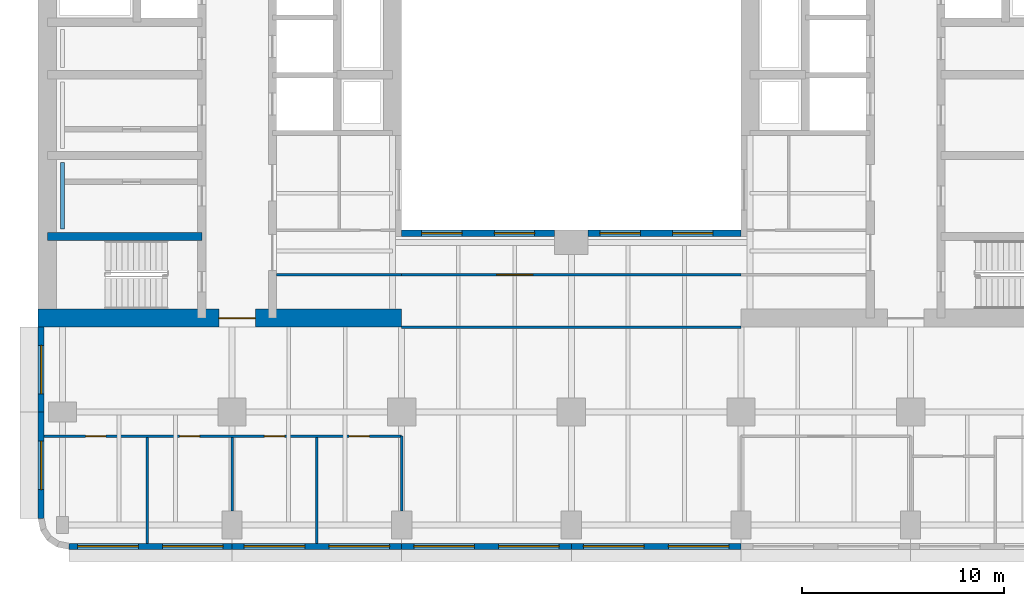
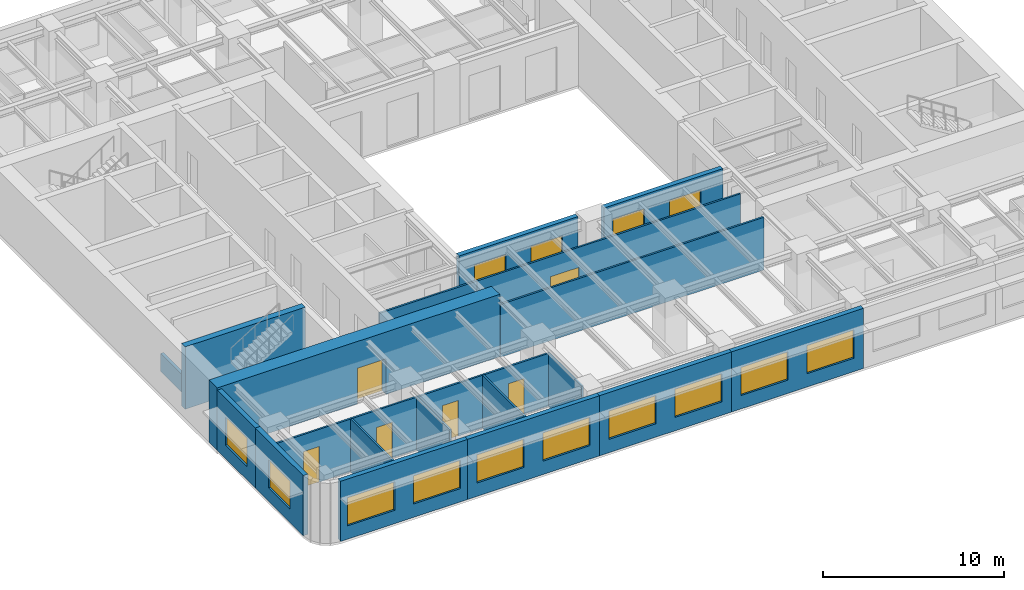
# One storey, part 3 of 11: 19 walls, 14 windows, 6 doors, 20 openings.
"""IFC4 building model written with IfcOpenShell, lengths in metres."""

import ifcopenshell
import ifcopenshell.guid

model = None  # the IFC model being written
_history = None  # IfcOwnerHistory: only IFC2X3 demands one
_inside = {}  # id of a spatial element -> (the spatial element, [elements in it])
_under = {}  # id of a project, library or spatial element -> (it, [spatial elements below it])
_declared = {}  # id of a project -> (the project, [libraries it declares])
_typed = {}  # id of a type object -> (the type object, [elements of that type])
_made_of = {}  # id of a material, layer set ... -> (it, [elements and type objects made of it])


def new_model(schema):
    """Start an empty IFC model of exactly this schema.

    Asked for "IFC4X3", IfcOpenShell would pick the latest addendum, in which some entities
    have other attributes; the version numbers below select the first issue.
    IFC2X3 requires an IfcOwnerHistory on every rooted entity: one is made here for all.
    """
    global model, _history
    if schema == "IFC4X3":
        model = ifcopenshell.file(schema_version=(4, 3, 0, 0))
    else:
        model = ifcopenshell.file(schema=schema)
    _inside.clear()
    _under.clear()
    _declared.clear()
    _typed.clear()
    _made_of.clear()
    _history = None
    if model.schema == "IFC2X3":
        org = make("IfcOrganization", Name="unknown")
        user = make(
            "IfcPersonAndOrganization",
            ThePerson=make("IfcPerson", FamilyName="unknown"),
            TheOrganization=org,
        )
        app = make(
            "IfcApplication",
            ApplicationDeveloper=org,
            Version="unknown",
            ApplicationFullName="unknown",
            ApplicationIdentifier="unknown",
        )
        _history = make(
            "IfcOwnerHistory",
            OwningUser=user,
            OwningApplication=app,
            ChangeAction="ADDED",
            CreationDate=0,
        )
    return model


def make(cls, **values):
    """One entity of the class cls with the attributes given. An attribute that is None is left unset."""
    return model.create_entity(
        cls, **{name: value for name, value in values.items() if value is not None}
    )


def rooted(cls, **values):
    """An entity with a GlobalId (a new one), such as an element, a storey or a relation."""
    return make(cls, GlobalId=ifcopenshell.guid.new(), OwnerHistory=_history, **values)


def si_unit(unit_type, name, prefix=None):
    """IfcSIUnit, for example si_unit("LENGTHUNIT", "METRE", prefix="MILLI")."""
    return make("IfcSIUnit", UnitType=unit_type, Prefix=prefix, Name=name)


def assignment(units):
    """IfcUnitAssignment: the units of a project."""
    return None if units is None else make("IfcUnitAssignment", Units=units)


def point(xyz):
    """IfcCartesianPoint."""
    return None if xyz is None else make("IfcCartesianPoint", Coordinates=xyz)


def direction(xyz):
    """IfcDirection."""
    return None if xyz is None else make("IfcDirection", DirectionRatios=xyz)


def frame(location, z_axis=None, x_axis=None):
    """IfcAxis2Placement3D, a coordinate frame: its origin and axes. An axis left out is left unset."""
    return make(
        "IfcAxis2Placement3D",
        Location=point(location),
        Axis=direction(z_axis),
        RefDirection=direction(x_axis),
    )


def frame_2d(location, x_axis=None):
    """IfcAxis2Placement2D, a coordinate frame in the plane: its origin and x axis."""
    return make(
        "IfcAxis2Placement2D", Location=point(location), RefDirection=direction(x_axis)
    )


def origin():
    """The frame at (0, 0, 0) with its axes left unset."""
    return frame((0.0, 0.0, 0.0))


def place(relative_to, where):
    """IfcLocalPlacement: puts the frame where relative to a parent placement (None: the world)."""
    return make(
        "IfcLocalPlacement", PlacementRelTo=relative_to, RelativePlacement=where
    )


def context(
    kind, dimensions, precision=None, world=None, true_north=None, identifier=None
):
    """IfcGeometricRepresentationContext, for example the 3D "Model" context."""
    return make(
        "IfcGeometricRepresentationContext",
        ContextIdentifier=identifier,
        ContextType=kind,
        CoordinateSpaceDimension=dimensions,
        Precision=precision,
        WorldCoordinateSystem=world,
        TrueNorth=true_north,
    )


def subcontext(parent, identifier, kind, view, scale=None):
    """IfcGeometricRepresentationSubContext, for example "Body" below "Model"."""
    return make(
        "IfcGeometricRepresentationSubContext",
        ContextIdentifier=identifier,
        ContextType=kind,
        ParentContext=parent,
        TargetScale=scale,
        TargetView=view,
    )


def project(units=None, contexts=None):
    """IfcProject with its units and contexts."""
    return rooted(
        "IfcProject",
        Name="project",
        RepresentationContexts=contexts,
        UnitsInContext=assignment(units),
    )


def spatial(cls, under=None, at=None, **own):
    """A site, building, storey or space (cls), placed at a placement, below another one or the project."""
    s = rooted(cls, ObjectPlacement=at, **own)
    if under is not None:
        _under.setdefault(under.id(), (under, []))[1].append(s)
    return s


def profile(cls, at=None, kind="AREA", **sizes):
    """A parametric profile (cls). Its sizes go by their IFC names, for example OverallWidth=200.0."""
    return make(cls, ProfileType=kind, Position=at, **sizes)


def rectangle(**sizes):
    """IfcRectangleProfileDef."""
    return profile("IfcRectangleProfileDef", **sizes)


def extrude(swept, where, along, depth):
    """IfcExtrudedAreaSolid: the profile swept, set in the frame where, extruded along a direction by depth."""
    return make(
        "IfcExtrudedAreaSolid",
        SweptArea=swept,
        Position=where,
        ExtrudedDirection=direction(along),
        Depth=depth,
    )


def shape(context_of_items, identifier, shape_type, items):
    """IfcShapeRepresentation: the items that make up one representation, for example the "Body"."""
    return make(
        "IfcShapeRepresentation",
        ContextOfItems=context_of_items,
        RepresentationIdentifier=identifier,
        RepresentationType=shape_type,
        Items=items,
    )


def material(Name=None, Category=None):
    """IfcMaterial."""
    return make("IfcMaterial", Name=Name, Category=Category)


def layer(
    of_material, thickness, ventilated=None, Name=None, Category=None, Priority=None
):
    """IfcMaterialLayer: one layer of a wall or slab, of a material (None: an air gap)."""
    return make(
        "IfcMaterialLayer",
        Material=of_material,
        LayerThickness=thickness,
        IsVentilated=ventilated,
        Name=Name,
        Category=Category,
        Priority=Priority,
    )


def layer_set(layers, Name=None):
    """IfcMaterialLayerSet."""
    return make("IfcMaterialLayerSet", MaterialLayers=layers, LayerSetName=Name)


def made_of(thing, what):
    """Note that an element or type object is made of a material, layer set ...; save() writes the relation."""
    if what is not None:
        _made_of.setdefault(what.id(), (what, []))[1].append(thing)
    return thing


def type_object(cls, material=None, **own):
    """A type object (cls), such as IfcWallType, which elements share."""
    return made_of(rooted(cls, **own), material)


def element(
    cls,
    number,
    at=None,
    inside=None,
    cuts=None,
    type_object=None,
    material=None,
    context=None,
    identifier="Body",
    shape_type=None,
    held_by="IfcProductDefinitionShape",
    body=None,
    shapes=None,
    **own,
):
    """One element of the class cls, such as IfcWall. Its Tag is "e" and its number.

    at: its placement. inside: the storey or other place that contains it. cuts: it is an
    opening in that element (IfcRelVoidsElement). A single representation is given by context,
    identifier, shape_type and body (its items); several are given by shapes. held_by: the class
    of the entity that holds the representations. save() writes the other relations.
    """
    e = rooted(cls, Tag="e%d" % number, ObjectPlacement=at, **own)
    if body is not None:
        shapes = [shape(context, identifier, shape_type, body)]
    if shapes is not None:
        e.Representation = make(held_by, Representations=shapes)
    if inside is not None:
        _inside.setdefault(inside.id(), (inside, []))[1].append(e)
    if cuts is not None:
        rooted(
            "IfcRelVoidsElement", RelatingBuildingElement=cuts, RelatedOpeningElement=e
        )
    if type_object is not None:
        _typed.setdefault(type_object.id(), (type_object, []))[1].append(e)
    return made_of(e, material)


def fill(opening, filler):
    """IfcRelFillsElement: the door or window that sits in an opening."""
    return rooted(
        "IfcRelFillsElement",
        RelatingOpeningElement=opening,
        RelatedBuildingElement=filler,
    )


def aggregate(whole, parts):
    """IfcRelAggregates: a whole, such as a stair, and the parts it consists of."""
    return rooted("IfcRelAggregates", RelatingObject=whole, RelatedObjects=parts)


def save(model, path):
    """Write the relations noted so far, then the file.

    IfcRelAggregates (storeys below a building ...), IfcRelContainedInSpatialStructure (elements
    in a storey), IfcRelDefinesByType, IfcRelAssociatesMaterial and IfcRelDeclares: one each for
    every whole, place, type object, material and project.
    """
    for whole, parts in _under.values():
        aggregate(whole, parts)
    for where, things in _inside.values():
        rooted(
            "IfcRelContainedInSpatialStructure",
            RelatedElements=things,
            RelatingStructure=where,
        )
    for kind, things in _typed.values():
        rooted("IfcRelDefinesByType", RelatedObjects=things, RelatingType=kind)
    for what, things in _made_of.values():
        rooted("IfcRelAssociatesMaterial", RelatedObjects=things, RelatingMaterial=what)
    for by, libraries in _declared.values():
        rooted("IfcRelDeclares", RelatingContext=by, RelatedDefinitions=libraries)
    model.write(path)


model = new_model("IFC4")

# Units and contexts
model_context = context("Model", 3, precision=1e-05, world=origin(), true_north=direction((0.0, 1.0)))
body_context = subcontext(model_context, "Body", "Model", "MODEL_VIEW")
ifc_project = project(units=[si_unit("LENGTHUNIT", "METRE"), si_unit("AREAUNIT", "SQUARE_METRE"), si_unit("VOLUMEUNIT", "CUBIC_METRE"), si_unit("PLANEANGLEUNIT", "RADIAN"), si_unit("MASSUNIT", "GRAM", prefix="KILO")], contexts=[model_context])

# Site, building, storey
site_placement = place(None, origin())
site = spatial("IfcSite", under=ifc_project, at=site_placement, CompositionType="ELEMENT")
building_placement = place(site_placement, origin())
building = spatial("IfcBuilding", under=site, at=building_placement, Name="Claustro Exchange Tower", CompositionType="ELEMENT")
storey_placement = place(building_placement, frame((0.0, 0.0, 105.0)))
storey = spatial("IfcBuildingStorey", under=building, at=storey_placement, Name="L23", CompositionType="ELEMENT", Elevation=105.0)

# Wall, openings, doors
ifc_material_1 = material(Name="Laminated glass in aluminium frame", Category="aluminium")
ifc_layer_1 = layer(ifc_material_1, 0.1201171875)
ifc_layer_set_1 = layer_set([ifc_layer_1], Name="Laminated glass in aluminium frame")
wall_type_1 = type_object("IfcWallType", Name="P2 120 glazed partition", PredefinedType="PARTITIONING", material=ifc_layer_set_1)
wall_1_placement = place(storey_placement, frame((-0.902099609375, 7.199951171875, 0.0), z_axis=(0.0, 0.0, 1.0), x_axis=(1.0, 0.0, 0.0)))
wall_1 = element("IfcWall", 1, at=wall_1_placement, inside=storey, type_object=wall_type_1, Name="Partition P2 L23", PredefinedType="PARTITIONING", context=body_context, shape_type="SweptSolid", body=[
    extrude(rectangle(XDim=17.7021484375, YDim=0.1201171875, at=frame_2d((8.85107421875, 0.0))), origin(), (0.0, 0.0, 1.0), 3.550048828125),
])
opening_1_placement = place(wall_1_placement, frame((2.052001953125, 0.0, 0.0)))
opening_1 = element("IfcOpeningElement", 2, at=opening_1_placement, cuts=wall_1, Name="Opening D7", PredefinedType="OPENING", context=body_context, shape_type="SweptSolid", body=[
    extrude(rectangle(XDim=1.0, YDim=2.39990234375, at=frame_2d((0.5, 1.199951171875))), frame((0.0, 0.070068359375, 0.0), z_axis=(0.0, -1.0, 0.0), x_axis=(1.0, 0.0, 0.0)), (0.0, 0.0, 1.0), 0.14013671875),
])
opening_2_placement = place(wall_1_placement, frame((6.701904296875, 0.0, 0.0)))
opening_2 = element("IfcOpeningElement", 3, at=opening_2_placement, cuts=wall_1, Name="Opening D7", PredefinedType="OPENING", context=body_context, shape_type="SweptSolid", body=[
    extrude(rectangle(XDim=1.0, YDim=2.39990234375, at=frame_2d((0.5, 1.199951171875))), frame((0.0, 0.070068359375, 0.0), z_axis=(0.0, -1.0, 0.0), x_axis=(1.0, 0.0, 0.0)), (0.0, 0.0, 1.0), 0.14013671875),
])
opening_3_placement = place(wall_1_placement, frame((10.902099609375, 0.0, 0.0)))
opening_3 = element("IfcOpeningElement", 4, at=opening_3_placement, cuts=wall_1, Name="Opening D7", PredefinedType="OPENING", context=body_context, shape_type="SweptSolid", body=[
    extrude(rectangle(XDim=1.0, YDim=2.39990234375, at=frame_2d((0.5, 1.199951171875))), frame((0.0, 0.070068359375, 0.0), z_axis=(0.0, -1.0, 0.0), x_axis=(1.0, 0.0, 0.0)), (0.0, 0.0, 1.0), 0.14013671875),
])
opening_4_placement = place(wall_1_placement, frame((15.10205078125, 0.0, 0.0)))
opening_4 = element("IfcOpeningElement", 5, at=opening_4_placement, cuts=wall_1, Name="Opening D7", PredefinedType="OPENING", context=body_context, shape_type="SweptSolid", body=[
    extrude(rectangle(XDim=1.0, YDim=2.39990234375, at=frame_2d((0.5, 1.199951171875))), frame((0.0, 0.070068359375, 0.0), z_axis=(0.0, -1.0, 0.0), x_axis=(1.0, 0.0, 0.0)), (0.0, 0.0, 1.0), 0.14013671875),
])
ifc_material_2 = material(Name="Glass door in aluminium frame", Category="aluminium")
door_type_1 = type_object("IfcDoorType", Name="D7 1000 x 2400 glazed door", OperationType="SINGLE_SWING_LEFT", PredefinedType="DOOR", material=ifc_material_2)
door_1_placement = place(opening_1_placement, frame((1.0, 0.0, 0.0), z_axis=(0.0, 0.0, 1.0), x_axis=(-1.0, 0.0, 0.0)))
door_1 = element("IfcDoor", 6, at=door_1_placement, inside=storey, type_object=door_type_1, Name="Door D7 L23", OperationType="SINGLE_SWING_LEFT", OverallHeight=2.39990234375, OverallWidth=1.0, PredefinedType="DOOR", context=body_context, shape_type="SweptSolid", body=[
    extrude(rectangle(XDim=1.0, YDim=2.39990234375, at=frame_2d((0.5, 1.199951171875))), frame((0.0, 0.02490234375, 0.0), z_axis=(0.0, -1.0, 0.0), x_axis=(1.0, 0.0, 0.0)), (0.0, 0.0, 1.0), 0.050048828125),
])
fill(opening_1, door_1)
door_2_placement = place(opening_2_placement, frame((1.0, 0.0, 0.0), z_axis=(0.0, 0.0, 1.0), x_axis=(-1.0, 0.0, 0.0)))
door_2 = element("IfcDoor", 7, at=door_2_placement, inside=storey, type_object=door_type_1, Name="Door D7 L23", OperationType="SINGLE_SWING_RIGHT", OverallHeight=2.39990234375, OverallWidth=1.0, PredefinedType="DOOR", context=body_context, shape_type="SweptSolid", body=[
    extrude(rectangle(XDim=1.0, YDim=2.39990234375, at=frame_2d((0.5, 1.199951171875))), frame((0.0, 0.02490234375, 0.0), z_axis=(0.0, -1.0, 0.0), x_axis=(1.0, 0.0, 0.0)), (0.0, 0.0, 1.0), 0.050048828125),
])
fill(opening_2, door_2)
door_3_placement = place(opening_3_placement, frame((1.0, 0.0, 0.0), z_axis=(0.0, 0.0, 1.0), x_axis=(-1.0, 0.0, 0.0)))
door_3 = element("IfcDoor", 8, at=door_3_placement, inside=storey, type_object=door_type_1, Name="Door D7 L23", OperationType="SINGLE_SWING_RIGHT", OverallHeight=2.39990234375, OverallWidth=1.0, PredefinedType="DOOR", context=body_context, shape_type="SweptSolid", body=[
    extrude(rectangle(XDim=1.0, YDim=2.39990234375, at=frame_2d((0.5, 1.199951171875))), frame((0.0, 0.02490234375, 0.0), z_axis=(0.0, -1.0, 0.0), x_axis=(1.0, 0.0, 0.0)), (0.0, 0.0, 1.0), 0.050048828125),
])
fill(opening_3, door_3)
door_4_placement = place(opening_4_placement, frame((1.0, 0.0, 0.0), z_axis=(0.0, 0.0, 1.0), x_axis=(-1.0, 0.0, 0.0)))
door_4 = element("IfcDoor", 9, at=door_4_placement, inside=storey, type_object=door_type_1, Name="Door D7 L23", OperationType="SINGLE_SWING_RIGHT", OverallHeight=2.39990234375, OverallWidth=1.0, PredefinedType="DOOR", context=body_context, shape_type="SweptSolid", body=[
    extrude(rectangle(XDim=1.0, YDim=2.39990234375, at=frame_2d((0.5, 1.199951171875))), frame((0.0, 0.02490234375, 0.0), z_axis=(0.0, -1.0, 0.0), x_axis=(1.0, 0.0, 0.0)), (0.0, 0.0, 1.0), 0.050048828125),
])
fill(opening_4, door_4)

# Walls
wall_2_placement = place(storey_placement, frame((4.199951171875, 1.89794921875, 0.0), z_axis=(0.0, 0.0, 1.0), x_axis=(0.0, 1.0, 0.0)))
element("IfcWall", 10, at=wall_2_placement, inside=storey, type_object=wall_type_1, Name="Partition P2 L23", PredefinedType="PARTITIONING", context=body_context, shape_type="SweptSolid", body=[
    extrude(rectangle(XDim=5.244140625, YDim=0.1201171875, at=frame_2d((2.6220703125, 0.0))), origin(), (0.0, 0.0, 1.0), 3.56005859375),
])
wall_3_placement = place(storey_placement, frame((8.39990234375, 3.4990234375, 0.0), z_axis=(0.0, 0.0, 1.0), x_axis=(0.0, 1.0, 0.0)))
element("IfcWall", 11, at=wall_3_placement, inside=storey, type_object=wall_type_1, Name="Partition P2 L23", PredefinedType="PARTITIONING", context=body_context, shape_type="SweptSolid", body=[
    extrude(rectangle(XDim=3.64306640625, YDim=0.1201171875, at=frame_2d((1.821533203125, 0.0))), origin(), (0.0, 0.0, 1.0), 3.550048828125),
])
wall_4_placement = place(storey_placement, frame((12.60009765625, 1.89794921875, 0.0), z_axis=(0.0, 0.0, 1.0), x_axis=(0.0, 1.0, 0.0)))
element("IfcWall", 12, at=wall_4_placement, inside=storey, type_object=wall_type_1, Name="Partition P2 L23", PredefinedType="PARTITIONING", context=body_context, shape_type="SweptSolid", body=[
    extrude(rectangle(XDim=5.244140625, YDim=0.1201171875, at=frame_2d((2.6220703125, 0.0))), origin(), (0.0, 0.0, 1.0), 3.56005859375),
])
wall_5_placement = place(storey_placement, frame((16.800048828125, 3.4990234375, 0.0), z_axis=(0.0, 0.0, 1.0), x_axis=(0.0, 1.0, 0.0)))
element("IfcWall", 13, at=wall_5_placement, inside=storey, type_object=wall_type_1, Name="Partition P2 L23", PredefinedType="PARTITIONING", context=body_context, shape_type="SweptSolid", body=[
    extrude(rectangle(XDim=3.700927734375, YDim=0.1201171875, at=frame_2d((1.8505859375, 0.0))), origin(), (0.0, 0.0, 1.0), 3.550048828125),
])
wall_6_placement = place(storey_placement, frame((10.597900390625, 15.199951171875, 0.0), z_axis=(0.0, 0.0, 1.0), x_axis=(1.0, 0.0, 0.0)))
element("IfcWall", 14, at=wall_6_placement, inside=storey, type_object=wall_type_1, Name="Partition P2 L23", PredefinedType="PARTITIONING", context=body_context, shape_type="SweptSolid", body=[
    extrude(rectangle(XDim=6.2041015625, YDim=0.1201171875, at=frame_2d((3.10205078125, 0.0))), origin(), (0.0, 0.0, 1.0), 3.550048828125),
])

# Wall, opening, door
wall_7_placement = place(storey_placement, frame((16.798095703125, 15.199951171875, 0.0), z_axis=(0.0, 0.0, 1.0), x_axis=(1.0, 0.0, 0.0)))
wall_7 = element("IfcWall", 15, at=wall_7_placement, inside=storey, type_object=wall_type_1, Name="Partition P2 L23", PredefinedType="PARTITIONING", context=body_context, shape_type="SweptSolid", body=[
    extrude(rectangle(XDim=16.803955078125, YDim=0.1201171875, at=frame_2d((8.40185546875, 0.0))), origin(), (0.0, 0.0, 1.0), 3.550048828125),
])
opening_5_placement = place(wall_7_placement, frame((4.701904296875, 0.0, 0.0)))
opening_5 = element("IfcOpeningElement", 16, at=opening_5_placement, cuts=wall_7, Name="Opening D2", PredefinedType="OPENING", context=body_context, shape_type="SweptSolid", body=[
    extrude(rectangle(XDim=1.800048828125, YDim=2.199951171875, at=frame_2d((0.89990234375, 1.10009765625))), frame((0.0, 0.070068359375, 0.0), z_axis=(0.0, -1.0, 0.0), x_axis=(1.0, 0.0, 0.0)), (0.0, 0.0, 1.0), 0.14013671875),
])
ifc_material_3 = material(Name="Timber door, oak veneer", Category="wood")
door_type_2 = type_object("IfcDoorType", Name="D2 1800 x 2200 double door", OperationType="DOUBLE_DOOR_SINGLE_SWING", PredefinedType="DOOR", material=ifc_material_3)
door_5_placement = place(opening_5_placement, frame((1.800048828125, 0.0, 0.0), z_axis=(0.0, 0.0, 1.0), x_axis=(-1.0, 0.0, 0.0)))
door_5 = element("IfcDoor", 17, at=door_5_placement, inside=storey, type_object=door_type_2, Name="Double door D2 L23", OperationType="DOUBLE_DOOR_SINGLE_SWING", OverallHeight=2.199951171875, OverallWidth=1.800048828125, PredefinedType="DOOR", context=body_context, shape_type="SweptSolid", body=[
    extrude(rectangle(XDim=1.800048828125, YDim=2.199951171875, at=frame_2d((0.89990234375, 1.10009765625))), frame((0.0, 0.02490234375, 0.0), z_axis=(0.0, -1.0, 0.0), x_axis=(1.0, 0.0, 0.0)), (0.0, 0.0, 1.0), 0.050048828125),
])
fill(opening_5, door_5)

# Wall
wall_8_placement = place(storey_placement, frame((16.800048828125, 12.60009765625, 0.0), z_axis=(0.0, 0.0, 1.0), x_axis=(1.0, 0.0, 0.0)))
element("IfcWall", 18, at=wall_8_placement, inside=storey, type_object=wall_type_1, Name="Partition P2 L23", PredefinedType="PARTITIONING", context=body_context, shape_type="SweptSolid", body=[
    extrude(rectangle(XDim=16.800048828125, YDim=0.1201171875, at=frame_2d((8.39990234375, 0.0))), origin(), (0.0, 0.0, 1.0), 3.550048828125),
])

# Wall, openings, windows
ifc_material_4 = material(Name="Concrete HA-40 (C40/50), precast, white cement, acid-etched", Category="concrete")
ifc_layer_2 = layer(ifc_material_4, 0.300048828125)
ifc_layer_set_2 = layer_set([ifc_layer_2], Name="Concrete HA-40 (C40/50), precast, white cement, acid-etched")
wall_type_2 = type_object("IfcWallType", Name="PC1 300 precast concrete pier panel", PredefinedType="SOLIDWALL", material=ifc_layer_set_2)
wall_9_placement = place(storey_placement, frame((33.60009765625, 1.75, 0.0), z_axis=(0.0, 0.0, 1.0), x_axis=(-1.0, 0.0, 0.0)))
wall_9 = element("IfcWall", 19, at=wall_9_placement, inside=storey, type_object=wall_type_2, Name="Precast pier panel PC1 L23", PredefinedType="SOLIDWALL", context=body_context, shape_type="SweptSolid", body=[
    extrude(rectangle(XDim=8.400146484375, YDim=0.300048828125, at=frame_2d((4.2001953125, 0.0))), origin(), (0.0, 0.0, 1.0), 4.050048828125),
])
opening_6_placement = place(wall_9_placement, frame((0.60009765625, 0.0, 0.89990234375)))
opening_6 = element("IfcOpeningElement", 20, at=opening_6_placement, cuts=wall_9, Name="Opening W1", PredefinedType="OPENING", context=body_context, shape_type="SweptSolid", body=[
    extrude(rectangle(XDim=3.0, YDim=1.89990234375, at=frame_2d((1.5, 0.949951171875))), frame((0.0, 0.159912109375, 0.0), z_axis=(0.0, -1.0, 0.0), x_axis=(1.0, 0.0, 0.0)), (0.0, 0.0, 1.0), 0.320068359375),
])
opening_7_placement = place(wall_9_placement, frame((4.800048828125, 0.0, 0.89990234375)))
opening_7 = element("IfcOpeningElement", 21, at=opening_7_placement, cuts=wall_9, Name="Opening W1", PredefinedType="OPENING", context=body_context, shape_type="SweptSolid", body=[
    extrude(rectangle(XDim=3.0, YDim=1.89990234375, at=frame_2d((1.5, 0.949951171875))), frame((0.0, 0.159912109375, 0.0), z_axis=(0.0, -1.0, 0.0), x_axis=(1.0, 0.0, 0.0)), (0.0, 0.0, 1.0), 0.320068359375),
])
ifc_material_5 = material(Name="Aluminium frame, clear double glazing", Category="aluminium")
window_type_1 = type_object("IfcWindowType", Name="W1 3000 x 1900 window", PartitioningType="SINGLE_PANEL", PredefinedType="WINDOW", material=ifc_material_5)
window_1_placement = place(opening_6_placement, origin())
window_1 = element("IfcWindow", 22, at=window_1_placement, inside=storey, type_object=window_type_1, Name="Window W1 L23", OverallHeight=1.89990234375, OverallWidth=3.0, PartitioningType="SINGLE_PANEL", PredefinedType="WINDOW", context=body_context, shape_type="SweptSolid", body=[
    extrude(rectangle(XDim=3.0, YDim=1.89990234375, at=frame_2d((1.5, 0.949951171875))), frame((0.0, 0.030029296875, 0.0), z_axis=(0.0, -1.0, 0.0), x_axis=(1.0, 0.0, 0.0)), (0.0, 0.0, 1.0), 0.06005859375),
])
fill(opening_6, window_1)
window_2_placement = place(opening_7_placement, origin())
window_2 = element("IfcWindow", 23, at=window_2_placement, inside=storey, type_object=window_type_1, Name="Window W1 L23", OverallHeight=1.89990234375, OverallWidth=3.0, PartitioningType="SINGLE_PANEL", PredefinedType="WINDOW", context=body_context, shape_type="SweptSolid", body=[
    extrude(rectangle(XDim=3.0, YDim=1.89990234375, at=frame_2d((1.5, 0.949951171875))), frame((0.0, 0.030029296875, 0.0), z_axis=(0.0, -1.0, 0.0), x_axis=(1.0, 0.0, 0.0)), (0.0, 0.0, 1.0), 0.06005859375),
])
fill(opening_7, window_2)

wall_10_placement = place(storey_placement, frame((25.199951171875, 1.75, 0.0), z_axis=(0.0, 0.0, 1.0), x_axis=(-1.0, 0.0, 0.0)))
wall_10 = element("IfcWall", 24, at=wall_10_placement, inside=storey, type_object=wall_type_2, Name="Precast pier panel PC1 L23", PredefinedType="SOLIDWALL", context=body_context, shape_type="SweptSolid", body=[
    extrude(rectangle(XDim=8.39990234375, YDim=0.300048828125, at=frame_2d((4.199951171875, 0.0))), origin(), (0.0, 0.0, 1.0), 4.050048828125),
])
opening_8_placement = place(wall_10_placement, frame((0.60009765625, 0.0, 0.89990234375)))
opening_8 = element("IfcOpeningElement", 25, at=opening_8_placement, cuts=wall_10, Name="Opening W1", PredefinedType="OPENING", context=body_context, shape_type="SweptSolid", body=[
    extrude(rectangle(XDim=3.0, YDim=1.89990234375, at=frame_2d((1.5, 0.949951171875))), frame((0.0, 0.159912109375, 0.0), z_axis=(0.0, -1.0, 0.0), x_axis=(1.0, 0.0, 0.0)), (0.0, 0.0, 1.0), 0.320068359375),
])
opening_9_placement = place(wall_10_placement, frame((4.800048828125, 0.0, 0.89990234375)))
opening_9 = element("IfcOpeningElement", 26, at=opening_9_placement, cuts=wall_10, Name="Opening W1", PredefinedType="OPENING", context=body_context, shape_type="SweptSolid", body=[
    extrude(rectangle(XDim=3.0, YDim=1.89990234375, at=frame_2d((1.5, 0.949951171875))), frame((0.0, 0.159912109375, 0.0), z_axis=(0.0, -1.0, 0.0), x_axis=(1.0, 0.0, 0.0)), (0.0, 0.0, 1.0), 0.320068359375),
])
window_3_placement = place(opening_8_placement, origin())
window_3 = element("IfcWindow", 27, at=window_3_placement, inside=storey, type_object=window_type_1, Name="Window W1 L23", OverallHeight=1.89990234375, OverallWidth=3.0, PartitioningType="SINGLE_PANEL", PredefinedType="WINDOW", context=body_context, shape_type="SweptSolid", body=[
    extrude(rectangle(XDim=3.0, YDim=1.89990234375, at=frame_2d((1.5, 0.949951171875))), frame((0.0, 0.030029296875, 0.0), z_axis=(0.0, -1.0, 0.0), x_axis=(1.0, 0.0, 0.0)), (0.0, 0.0, 1.0), 0.06005859375),
])
fill(opening_8, window_3)
window_4_placement = place(opening_9_placement, origin())
window_4 = element("IfcWindow", 28, at=window_4_placement, inside=storey, type_object=window_type_1, Name="Window W1 L23", OverallHeight=1.89990234375, OverallWidth=3.0, PartitioningType="SINGLE_PANEL", PredefinedType="WINDOW", context=body_context, shape_type="SweptSolid", body=[
    extrude(rectangle(XDim=3.0, YDim=1.89990234375, at=frame_2d((1.5, 0.949951171875))), frame((0.0, 0.030029296875, 0.0), z_axis=(0.0, -1.0, 0.0), x_axis=(1.0, 0.0, 0.0)), (0.0, 0.0, 1.0), 0.06005859375),
])
fill(opening_9, window_4)

wall_11_placement = place(storey_placement, frame((16.800048828125, 1.75, 0.0), z_axis=(0.0, 0.0, 1.0), x_axis=(-1.0, 0.0, 0.0)))
wall_11 = element("IfcWall", 29, at=wall_11_placement, inside=storey, type_object=wall_type_2, Name="Precast pier panel PC1 L23", PredefinedType="SOLIDWALL", context=body_context, shape_type="SweptSolid", body=[
    extrude(rectangle(XDim=8.400146484375, YDim=0.300048828125, at=frame_2d((4.2001953125, 0.0))), origin(), (0.0, 0.0, 1.0), 4.050048828125),
])
opening_10_placement = place(wall_11_placement, frame((0.60009765625, 0.0, 0.89990234375)))
opening_10 = element("IfcOpeningElement", 30, at=opening_10_placement, cuts=wall_11, Name="Opening W1", PredefinedType="OPENING", context=body_context, shape_type="SweptSolid", body=[
    extrude(rectangle(XDim=3.0, YDim=1.89990234375, at=frame_2d((1.5, 0.949951171875))), frame((0.0, 0.159912109375, 0.0), z_axis=(0.0, -1.0, 0.0), x_axis=(1.0, 0.0, 0.0)), (0.0, 0.0, 1.0), 0.320068359375),
])
opening_11_placement = place(wall_11_placement, frame((4.800048828125, 0.0, 0.89990234375)))
opening_11 = element("IfcOpeningElement", 31, at=opening_11_placement, cuts=wall_11, Name="Opening W1", PredefinedType="OPENING", context=body_context, shape_type="SweptSolid", body=[
    extrude(rectangle(XDim=3.0, YDim=1.89990234375, at=frame_2d((1.5, 0.949951171875))), frame((0.0, 0.159912109375, 0.0), z_axis=(0.0, -1.0, 0.0), x_axis=(1.0, 0.0, 0.0)), (0.0, 0.0, 1.0), 0.320068359375),
])
window_5_placement = place(opening_10_placement, origin())
window_5 = element("IfcWindow", 32, at=window_5_placement, inside=storey, type_object=window_type_1, Name="Window W1 L23", OverallHeight=1.89990234375, OverallWidth=3.0, PartitioningType="SINGLE_PANEL", PredefinedType="WINDOW", context=body_context, shape_type="SweptSolid", body=[
    extrude(rectangle(XDim=3.0, YDim=1.89990234375, at=frame_2d((1.5, 0.949951171875))), frame((0.0, 0.030029296875, 0.0), z_axis=(0.0, -1.0, 0.0), x_axis=(1.0, 0.0, 0.0)), (0.0, 0.0, 1.0), 0.06005859375),
])
fill(opening_10, window_5)
window_6_placement = place(opening_11_placement, origin())
window_6 = element("IfcWindow", 33, at=window_6_placement, inside=storey, type_object=window_type_1, Name="Window W1 L23", OverallHeight=1.89990234375, OverallWidth=3.0, PartitioningType="SINGLE_PANEL", PredefinedType="WINDOW", context=body_context, shape_type="SweptSolid", body=[
    extrude(rectangle(XDim=3.0, YDim=1.89990234375, at=frame_2d((1.5, 0.949951171875))), frame((0.0, 0.030029296875, 0.0), z_axis=(0.0, -1.0, 0.0), x_axis=(1.0, 0.0, 0.0)), (0.0, 0.0, 1.0), 0.06005859375),
])
fill(opening_11, window_6)

wall_12_placement = place(storey_placement, frame((8.39990234375, 1.75, 0.0), z_axis=(0.0, 0.0, 1.0), x_axis=(-1.0, 0.0, 0.0)))
wall_12 = element("IfcWall", 34, at=wall_12_placement, inside=storey, type_object=wall_type_2, Name="Precast pier panel PC1 L23", PredefinedType="SOLIDWALL", context=body_context, shape_type="SweptSolid", body=[
    extrude(rectangle(XDim=8.085205078125, YDim=0.300048828125, at=frame_2d((4.04248046875, 0.0))), origin(), (0.0, 0.0, 1.0), 4.050048828125),
])
opening_12_placement = place(wall_12_placement, frame((0.442626953125, 0.0, 0.89990234375)))
opening_12 = element("IfcOpeningElement", 35, at=opening_12_placement, cuts=wall_12, Name="Opening W1", PredefinedType="OPENING", context=body_context, shape_type="SweptSolid", body=[
    extrude(rectangle(XDim=3.0, YDim=1.89990234375, at=frame_2d((1.5, 0.949951171875))), frame((0.0, 0.159912109375, 0.0), z_axis=(0.0, -1.0, 0.0), x_axis=(1.0, 0.0, 0.0)), (0.0, 0.0, 1.0), 0.320068359375),
])
opening_13_placement = place(wall_12_placement, frame((4.642578125, 0.0, 0.89990234375)))
opening_13 = element("IfcOpeningElement", 36, at=opening_13_placement, cuts=wall_12, Name="Opening W1", PredefinedType="OPENING", context=body_context, shape_type="SweptSolid", body=[
    extrude(rectangle(XDim=3.0, YDim=1.89990234375, at=frame_2d((1.5, 0.949951171875))), frame((0.0, 0.159912109375, 0.0), z_axis=(0.0, -1.0, 0.0), x_axis=(1.0, 0.0, 0.0)), (0.0, 0.0, 1.0), 0.320068359375),
])
window_7_placement = place(opening_12_placement, origin())
window_7 = element("IfcWindow", 37, at=window_7_placement, inside=storey, type_object=window_type_1, Name="Window W1 L23", OverallHeight=1.89990234375, OverallWidth=3.0, PartitioningType="SINGLE_PANEL", PredefinedType="WINDOW", context=body_context, shape_type="SweptSolid", body=[
    extrude(rectangle(XDim=3.0, YDim=1.89990234375, at=frame_2d((1.5, 0.949951171875))), frame((0.0, 0.030029296875, 0.0), z_axis=(0.0, -1.0, 0.0), x_axis=(1.0, 0.0, 0.0)), (0.0, 0.0, 1.0), 0.06005859375),
])
fill(opening_12, window_7)
window_8_placement = place(opening_13_placement, origin())
window_8 = element("IfcWindow", 38, at=window_8_placement, inside=storey, type_object=window_type_1, Name="Window W1 L23", OverallHeight=1.89990234375, OverallWidth=3.0, PartitioningType="SINGLE_PANEL", PredefinedType="WINDOW", context=body_context, shape_type="SweptSolid", body=[
    extrude(rectangle(XDim=3.0, YDim=1.89990234375, at=frame_2d((1.5, 0.949951171875))), frame((0.0, 0.030029296875, 0.0), z_axis=(0.0, -1.0, 0.0), x_axis=(1.0, 0.0, 0.0)), (0.0, 0.0, 1.0), 0.06005859375),
])
fill(opening_13, window_8)

# Wall, opening, window
wall_13_placement = place(storey_placement, frame((-1.050048828125, 3.11474609375, 0.0), z_axis=(0.0, 0.0, 1.0), x_axis=(0.0, 1.0, 0.0)))
wall_13 = element("IfcWall", 39, at=wall_13_placement, inside=storey, type_object=wall_type_2, Name="Precast pier panel PC1 L23", PredefinedType="SOLIDWALL", context=body_context, shape_type="SweptSolid", body=[
    extrude(rectangle(XDim=5.28515625, YDim=0.300048828125, at=frame_2d((2.642578125, 0.0))), origin(), (0.0, 0.0, 1.0), 4.050048828125),
])
opening_14_placement = place(wall_13_placement, frame((1.442626953125, 0.0, 0.89990234375)))
opening_14 = element("IfcOpeningElement", 40, at=opening_14_placement, cuts=wall_13, Name="Opening W2", PredefinedType="OPENING", context=body_context, shape_type="SweptSolid", body=[
    extrude(rectangle(XDim=2.39990234375, YDim=1.89990234375, at=frame_2d((1.199951171875, 0.949951171875))), frame((0.0, 0.159912109375, 0.0), z_axis=(0.0, -1.0, 0.0), x_axis=(1.0, 0.0, 0.0)), (0.0, 0.0, 1.0), 0.320068359375),
])
ifc_material_6 = material(Name="Aluminium frame, clear double glazing", Category="aluminium")
window_type_2 = type_object("IfcWindowType", Name="W2 2400 x 1900 window", PartitioningType="SINGLE_PANEL", PredefinedType="WINDOW", material=ifc_material_6)
window_9_placement = place(opening_14_placement, origin())
window_9 = element("IfcWindow", 41, at=window_9_placement, inside=storey, type_object=window_type_2, Name="Window W2 L23", OverallHeight=1.89990234375, OverallWidth=2.39990234375, PartitioningType="SINGLE_PANEL", PredefinedType="WINDOW", context=body_context, shape_type="SweptSolid", body=[
    extrude(rectangle(XDim=2.39990234375, YDim=1.89990234375, at=frame_2d((1.199951171875, 0.949951171875))), frame((0.0, 0.030029296875, 0.0), z_axis=(0.0, -1.0, 0.0), x_axis=(1.0, 0.0, 0.0)), (0.0, 0.0, 1.0), 0.06005859375),
])
fill(opening_14, window_9)

wall_14_placement = place(storey_placement, frame((-1.050048828125, 8.39990234375, 0.0), z_axis=(0.0, 0.0, 1.0), x_axis=(0.0, 1.0, 0.0)))
wall_14 = element("IfcWall", 42, at=wall_14_placement, inside=storey, type_object=wall_type_2, Name="Precast pier panel PC1 L23", PredefinedType="SOLIDWALL", context=body_context, shape_type="SweptSolid", body=[
    extrude(rectangle(XDim=4.2001953125, YDim=0.300048828125, at=frame_2d((2.10009765625, 0.0))), origin(), (0.0, 0.0, 1.0), 4.050048828125),
])
opening_15_placement = place(wall_14_placement, frame((0.89990234375, 0.0, 0.89990234375)))
opening_15 = element("IfcOpeningElement", 43, at=opening_15_placement, cuts=wall_14, Name="Opening W2", PredefinedType="OPENING", context=body_context, shape_type="SweptSolid", body=[
    extrude(rectangle(XDim=2.39990234375, YDim=1.89990234375, at=frame_2d((1.199951171875, 0.949951171875))), frame((0.0, 0.159912109375, 0.0), z_axis=(0.0, -1.0, 0.0), x_axis=(1.0, 0.0, 0.0)), (0.0, 0.0, 1.0), 0.320068359375),
])
window_10_placement = place(opening_15_placement, origin())
window_10 = element("IfcWindow", 44, at=window_10_placement, inside=storey, type_object=window_type_2, Name="Window W2 L23", OverallHeight=1.89990234375, OverallWidth=2.39990234375, PartitioningType="SINGLE_PANEL", PredefinedType="WINDOW", context=body_context, shape_type="SweptSolid", body=[
    extrude(rectangle(XDim=2.39990234375, YDim=1.89990234375, at=frame_2d((1.199951171875, 0.949951171875))), frame((0.0, 0.030029296875, 0.0), z_axis=(0.0, -1.0, 0.0), x_axis=(1.0, 0.0, 0.0)), (0.0, 0.0, 1.0), 0.06005859375),
])
fill(opening_15, window_10)

# Wall, openings, windows
wall_15_placement = place(storey_placement, frame((16.800048828125, 17.25, 0.0), z_axis=(0.0, 0.0, 1.0), x_axis=(1.0, 0.0, 0.0)))
wall_15 = element("IfcWall", 45, at=wall_15_placement, inside=storey, type_object=wall_type_2, Name="Precast pier panel PC1 L23", PredefinedType="SOLIDWALL", context=body_context, shape_type="SweptSolid", body=[
    extrude(rectangle(XDim=7.574951171875, YDim=0.300048828125, at=frame_2d((3.78759765625, 0.0))), origin(), (0.0, 0.0, 1.0), 4.050048828125),
])
opening_16_placement = place(wall_15_placement, frame((0.987548828125, 0.0, 0.10009765625)))
opening_16 = element("IfcOpeningElement", 46, at=opening_16_placement, cuts=wall_15, Name="Opening W-A", PredefinedType="OPENING", context=body_context, shape_type="SweptSolid", body=[
    extrude(rectangle(XDim=2.0, YDim=3.0, at=frame_2d((1.0, 1.5))), frame((0.0, 0.159912109375, 0.0), z_axis=(0.0, -1.0, 0.0), x_axis=(1.0, 0.0, 0.0)), (0.0, 0.0, 1.0), 0.320068359375),
])
opening_17_placement = place(wall_15_placement, frame((4.58740234375, 0.0, 0.10009765625)))
opening_17 = element("IfcOpeningElement", 47, at=opening_17_placement, cuts=wall_15, Name="Opening W-A", PredefinedType="OPENING", context=body_context, shape_type="SweptSolid", body=[
    extrude(rectangle(XDim=2.0, YDim=3.0, at=frame_2d((1.0, 1.5))), frame((0.0, 0.159912109375, 0.0), z_axis=(0.0, -1.0, 0.0), x_axis=(1.0, 0.0, 0.0)), (0.0, 0.0, 1.0), 0.320068359375),
])
ifc_material_7 = material(Name="Aluminium frame, clear double glazing", Category="aluminium")
window_type_3 = type_object("IfcWindowType", Name="W-A 2000 x 3000 arcade window", PartitioningType="SINGLE_PANEL", PredefinedType="WINDOW", material=ifc_material_7)
window_11_placement = place(opening_16_placement, origin())
window_11 = element("IfcWindow", 48, at=window_11_placement, inside=storey, type_object=window_type_3, Name="Window W-A L23", OverallHeight=3.0, OverallWidth=2.0, PartitioningType="SINGLE_PANEL", PredefinedType="WINDOW", context=body_context, shape_type="SweptSolid", body=[
    extrude(rectangle(XDim=2.0, YDim=3.0, at=frame_2d((1.0, 1.5))), frame((0.0, 0.030029296875, 0.0), z_axis=(0.0, -1.0, 0.0), x_axis=(1.0, 0.0, 0.0)), (0.0, 0.0, 1.0), 0.06005859375),
])
fill(opening_16, window_11)
window_12_placement = place(opening_17_placement, origin())
window_12 = element("IfcWindow", 49, at=window_12_placement, inside=storey, type_object=window_type_3, Name="Window W-A L23", OverallHeight=3.0, OverallWidth=2.0, PartitioningType="SINGLE_PANEL", PredefinedType="WINDOW", context=body_context, shape_type="SweptSolid", body=[
    extrude(rectangle(XDim=2.0, YDim=3.0, at=frame_2d((1.0, 1.5))), frame((0.0, 0.030029296875, 0.0), z_axis=(0.0, -1.0, 0.0), x_axis=(1.0, 0.0, 0.0)), (0.0, 0.0, 1.0), 0.06005859375),
])
fill(opening_17, window_12)

wall_16_placement = place(storey_placement, frame((26.02490234375, 17.25, 0.0), z_axis=(0.0, 0.0, 1.0), x_axis=(1.0, 0.0, 0.0)))
wall_16 = element("IfcWall", 50, at=wall_16_placement, inside=storey, type_object=wall_type_2, Name="Precast pier panel PC1 L23", PredefinedType="SOLIDWALL", context=body_context, shape_type="SweptSolid", body=[
    extrude(rectangle(XDim=7.5751953125, YDim=0.300048828125, at=frame_2d((3.78759765625, 0.0))), origin(), (0.0, 0.0, 1.0), 4.050048828125),
])
opening_18_placement = place(wall_16_placement, frame((0.58740234375, 0.0, 0.10009765625)))
opening_18 = element("IfcOpeningElement", 51, at=opening_18_placement, cuts=wall_16, Name="Opening W-A", PredefinedType="OPENING", context=body_context, shape_type="SweptSolid", body=[
    extrude(rectangle(XDim=2.0, YDim=3.0, at=frame_2d((1.0, 1.5))), frame((0.0, 0.159912109375, 0.0), z_axis=(0.0, -1.0, 0.0), x_axis=(1.0, 0.0, 0.0)), (0.0, 0.0, 1.0), 0.320068359375),
])
opening_19_placement = place(wall_16_placement, frame((4.1875, 0.0, 0.10009765625)))
opening_19 = element("IfcOpeningElement", 52, at=opening_19_placement, cuts=wall_16, Name="Opening W-A", PredefinedType="OPENING", context=body_context, shape_type="SweptSolid", body=[
    extrude(rectangle(XDim=2.0, YDim=3.0, at=frame_2d((1.0, 1.5))), frame((0.0, 0.159912109375, 0.0), z_axis=(0.0, -1.0, 0.0), x_axis=(1.0, 0.0, 0.0)), (0.0, 0.0, 1.0), 0.320068359375),
])
window_13_placement = place(opening_18_placement, origin())
window_13 = element("IfcWindow", 53, at=window_13_placement, inside=storey, type_object=window_type_3, Name="Window W-A L23", OverallHeight=3.0, OverallWidth=2.0, PartitioningType="SINGLE_PANEL", PredefinedType="WINDOW", context=body_context, shape_type="SweptSolid", body=[
    extrude(rectangle(XDim=2.0, YDim=3.0, at=frame_2d((1.0, 1.5))), frame((0.0, 0.030029296875, 0.0), z_axis=(0.0, -1.0, 0.0), x_axis=(1.0, 0.0, 0.0)), (0.0, 0.0, 1.0), 0.06005859375),
])
fill(opening_18, window_13)
window_14_placement = place(opening_19_placement, origin())
window_14 = element("IfcWindow", 54, at=window_14_placement, inside=storey, type_object=window_type_3, Name="Window W-A L23", OverallHeight=3.0, OverallWidth=2.0, PartitioningType="SINGLE_PANEL", PredefinedType="WINDOW", context=body_context, shape_type="SweptSolid", body=[
    extrude(rectangle(XDim=2.0, YDim=3.0, at=frame_2d((1.0, 1.5))), frame((0.0, 0.030029296875, 0.0), z_axis=(0.0, -1.0, 0.0), x_axis=(1.0, 0.0, 0.0)), (0.0, 0.0, 1.0), 0.06005859375),
])
fill(opening_19, window_14)

# Wall
ifc_material_8 = material(Name="Gypsum board on steel studs, tiled", Category="steel")
ifc_layer_3 = layer(ifc_material_8, 0.199951171875)
ifc_layer_set_3 = layer_set([ifc_layer_3], Name="Gypsum board on steel studs, tiled")
wall_type_3 = type_object("IfcWallType", Name="PW1 200 WC duct wall", PredefinedType="PLUMBINGWALL", material=ifc_layer_set_3)
wall_17_placement = place(storey_placement, frame((0.0, 17.449951171875, 0.0), z_axis=(0.0, 0.0, 1.0), x_axis=(0.0, 1.0, 0.0)))
element("IfcWall", 55, at=wall_17_placement, inside=storey, type_object=wall_type_3, Name="WC duct wall PW1 L23", PredefinedType="PLUMBINGWALL", context=body_context, shape_type="SweptSolid", body=[
    extrude(rectangle(XDim=3.300048828125, YDim=0.199951171875, at=frame_2d((1.64990234375, 0.0))), origin(), (0.0, 0.0, 1.0), 1.199951171875),
])

# Wall, opening, door
ifc_material_9 = material(Name="Concrete HA-70 (C70/85)", Category="concrete")
ifc_layer_4 = layer(ifc_material_9, 0.89990234375)
ifc_layer_set_4 = layer_set([ifc_layer_4], Name="Concrete HA-70 (C70/85)")
wall_type_4 = type_object("IfcWallType", Name="SW1 900 core shear wall", PredefinedType="SHEAR", material=ifc_layer_set_4)
wall_18_placement = place(storey_placement, frame((-1.199951171875, 13.050048828125, 0.0), z_axis=(0.0, 0.0, 1.0), x_axis=(1.0, 0.0, 0.0)))
wall_18 = element("IfcWall", 56, at=wall_18_placement, inside=storey, type_object=wall_type_4, Name="Core wall SW1 W core S face L23", PredefinedType="SHEAR", context=body_context, shape_type="SweptSolid", body=[
    extrude(rectangle(XDim=18.0, YDim=0.89990234375, at=frame_2d((9.0, 0.0))), origin(), (0.0, 0.0, 1.0), 4.199951171875),
])
opening_20_placement = place(wall_18_placement, frame((8.949951171875, 0.0, 0.0)))
opening_20 = element("IfcOpeningElement", 57, at=opening_20_placement, cuts=wall_18, Name="Opening D3", PredefinedType="OPENING", context=body_context, shape_type="SweptSolid", body=[
    extrude(rectangle(XDim=1.800048828125, YDim=2.39990234375, at=frame_2d((0.89990234375, 1.199951171875))), frame((0.0, 0.4599609375, 0.0), z_axis=(0.0, -1.0, 0.0), x_axis=(1.0, 0.0, 0.0)), (0.0, 0.0, 1.0), 0.919921875),
])
ifc_material_10 = material(Name="Steel fire door, painted", Category="steel")
door_type_3 = type_object("IfcDoorType", Name="D3 1800 x 2400 fire-rated lobby double door", OperationType="DOUBLE_DOOR_SINGLE_SWING", PredefinedType="DOOR", material=ifc_material_10)
door_6_placement = place(opening_20_placement, frame((1.800048828125, 0.0, 0.0), z_axis=(0.0, 0.0, 1.0), x_axis=(-1.0, 0.0, 0.0)))
door_6 = element("IfcDoor", 58, at=door_6_placement, inside=storey, type_object=door_type_3, Name="Lift lobby door D3 L23", OperationType="DOUBLE_DOOR_SINGLE_SWING", OverallHeight=2.39990234375, OverallWidth=1.800048828125, PredefinedType="DOOR", context=body_context, shape_type="SweptSolid", body=[
    extrude(rectangle(XDim=1.800048828125, YDim=2.39990234375, at=frame_2d((0.89990234375, 1.199951171875))), frame((0.0, 0.02490234375, 0.0), z_axis=(0.0, -1.0, 0.0), x_axis=(1.0, 0.0, 0.0)), (0.0, 0.0, 1.0), 0.050048828125),
])
fill(opening_20, door_6)

# Wall
ifc_material_11 = material(Name="Concrete HA-50 (C50/60)", Category="concrete")
ifc_layer_5 = layer(ifc_material_11, 0.39990234375)
ifc_layer_set_5 = layer_set([ifc_layer_5], Name="Concrete HA-50 (C50/60)")
wall_type_5 = type_object("IfcWallType", Name="SW4 400 internal core wall", PredefinedType="SHEAR", material=ifc_layer_set_5)
wall_19_placement = place(storey_placement, frame((-0.75, 17.10009765625, 0.0), z_axis=(0.0, 0.0, 1.0), x_axis=(1.0, 0.0, 0.0)))
element("IfcWall", 59, at=wall_19_placement, inside=storey, type_object=wall_type_5, Name="Internal core wall SW4 W core L23", PredefinedType="SHEAR", context=body_context, shape_type="SweptSolid", body=[
    extrude(rectangle(XDim=7.64990234375, YDim=0.39990234375, at=frame_2d((3.824951171875, 0.0))), origin(), (0.0, 0.0, 1.0), 4.199951171875),
])

save(model, "model.ifc")
